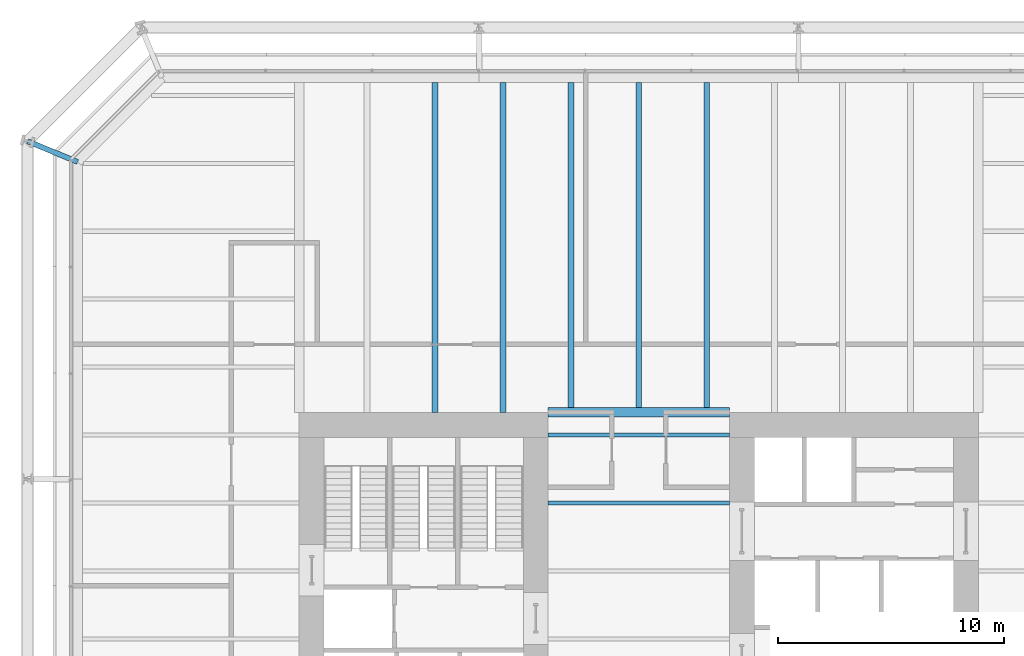
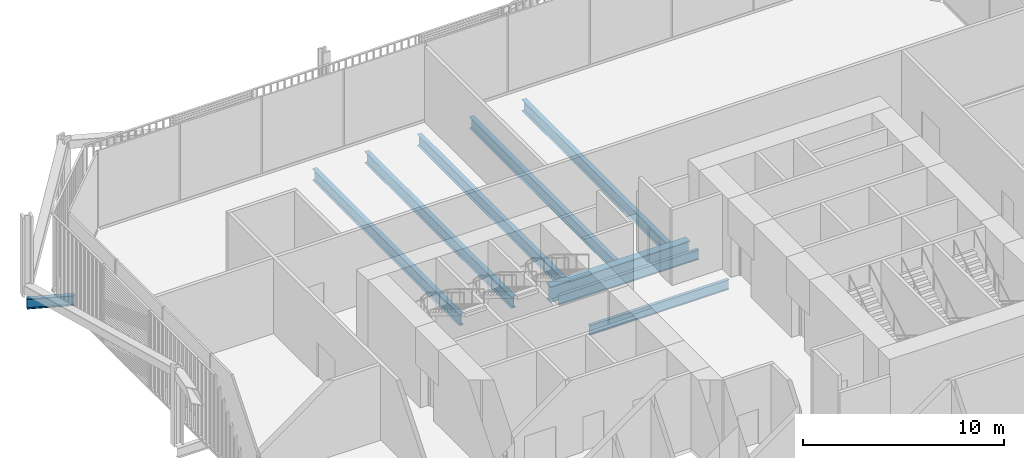
# One storey, part 13 of 22: 9 beams.
"""IFC4 building model written with IfcOpenShell, lengths in metres."""

from ifc_helpers import new_model, si_unit, direction, frame, origin, origin_2d, place, context, subcontext, project, spatial, i_section, extrude, material, material_profile, profile_set, type_object, element, save


model = new_model("IFC4")

# Units and contexts
model_context = context("Model", 3, precision=1e-05, world=origin(), true_north=direction((0.0, 1.0)))
body_context = subcontext(model_context, "Body", "Model", "MODEL_VIEW")
ifc_project = project(units=[si_unit("LENGTHUNIT", "METRE"), si_unit("AREAUNIT", "SQUARE_METRE"), si_unit("VOLUMEUNIT", "CUBIC_METRE"), si_unit("PLANEANGLEUNIT", "RADIAN"), si_unit("MASSUNIT", "GRAM", prefix="KILO")], contexts=[model_context])

# Site, building, storey
site_placement = place(None, origin())
site = spatial("IfcSite", under=ifc_project, at=site_placement, CompositionType="ELEMENT")
building_placement = place(site_placement, origin())
building = spatial("IfcBuilding", under=site, at=building_placement, Name="Millrace Tower", CompositionType="ELEMENT")
storey_placement = place(building_placement, frame((0.0, 0.0, 30.5)))
storey = spatial("IfcBuildingStorey", under=building, at=storey_placement, Name="L07", CompositionType="ELEMENT", Elevation=30.5)

# Beams
ifc_material_1 = material(Name="Steel ASTM A992 Grade 50", Category="steel")
ifc_material_profile_1 = material_profile(ifc_material_1, i_section(OverallWidth=0.177978515625, OverallDepth=0.599365234375, WebThickness=0.010009765625, FlangeThickness=0.012939453125, FilletRadius=0.012939453125, at=origin_2d()))
ifc_profile_set_1 = profile_set([ifc_material_profile_1], Name="Steel ASTM A992 Grade 50")
beam_type_1 = type_object("IfcBeamType", Name="Floor beam W24x55", PredefinedType="JOIST", material=ifc_profile_set_1)
for number, where, z_axis, x_axis, name in (
    (1, (-4.0, 6.0, -0.524658203125), (1.0, 0.0, 0.0), (0.0, 1.0, 0.0), "BM-A-L07-S1-S026"),
    (2, (-4.0, 9.0, -0.524658203125), (1.0, 0.0, 0.0), (0.0, 1.0, 0.0), "BM-A-L07-S1-S029"),
):
    element("IfcBeam", number, at=place(storey_placement, frame(where, z_axis=z_axis, x_axis=x_axis)), inside=storey, type_object=beam_type_1, Name=name, PredefinedType="JOIST", context=body_context, shape_type="SweptSolid", body=[
        extrude(i_section(OverallWidth=0.177978515625, OverallDepth=0.599365234375, WebThickness=0.010009765625, FlangeThickness=0.012939453125, FilletRadius=0.012939453125, at=origin_2d()), origin(), (0.0, 0.0, 1.0), 8.0),
    ])
ifc_material_2 = material(Name="Steel ASTM A992 Grade 50", Category="steel")
ifc_material_profile_2 = material_profile(ifc_material_2, i_section(OverallWidth=0.256591796875, OverallDepth=0.693359375, WebThickness=0.014404296875, FlangeThickness=0.023681640625, FilletRadius=0.01513671875, at=origin_2d()))
ifc_profile_set_2 = profile_set([ifc_material_profile_2], Name="Steel ASTM A992 Grade 50")
beam_type_2 = type_object("IfcBeamType", Name="Floor beam W27x114", PredefinedType="JOIST", material=ifc_profile_set_2)
for number, where, z_axis, x_axis, name in (
    (3, (-9.0, 10.0, -0.57177734375), (0.0, 1.0, 0.0), (-1.0, 0.0, 0.0), "BM-A-L07-S1-S044"),
    (4, (-6.0, 10.0, -0.57177734375), (0.0, 1.0, 0.0), (-1.0, 0.0, 0.0), "BM-A-L07-S1-S046"),
):
    element("IfcBeam", number, at=place(storey_placement, frame(where, z_axis=z_axis, x_axis=x_axis)), inside=storey, type_object=beam_type_2, Name=name, PredefinedType="JOIST", context=body_context, shape_type="SweptSolid", body=[
        extrude(i_section(OverallWidth=0.256591796875, OverallDepth=0.693359375, WebThickness=0.014404296875, FlangeThickness=0.023681640625, FilletRadius=0.01513671875, at=origin_2d()), origin(), (0.0, 0.0, 1.0), 14.578369140625),
    ])
for number, where, z_axis, x_axis, name in (
    (5, (-3.0, 10.212158203125, -0.57177734375), (0.0, 1.0, 0.0), (-1.0, 0.0, 0.0), "BM-A-L07-S1-S048"),
    (6, (0.0, 10.212158203125, -0.57177734375), (0.0, 1.0, 0.0), (-1.0, 0.0, 0.0), "BM-A-L07-S1-S050"),
    (7, (3.0, 10.212158203125, -0.57177734375), (0.0, 1.0, 0.0), (-1.0, 0.0, 0.0), "BM-A-L07-S1-S052"),
):
    element("IfcBeam", number, at=place(storey_placement, frame(where, z_axis=z_axis, x_axis=x_axis)), inside=storey, type_object=beam_type_2, Name=name, PredefinedType="JOIST", context=body_context, shape_type="SweptSolid", body=[
        extrude(i_section(OverallWidth=0.256591796875, OverallDepth=0.693359375, WebThickness=0.014404296875, FlangeThickness=0.023681640625, FilletRadius=0.01513671875, at=origin_2d()), origin(), (0.0, 0.0, 1.0), 14.3662109375),
    ])
ifc_material_3 = material(Name="Steel ASTM A992 Grade 50", Category="steel")
ifc_material_profile_3 = material_profile(ifc_material_3, i_section(OverallWidth=0.424072265625, OverallDepth=0.947509765625, WebThickness=0.02392578125, FlangeThickness=0.042724609375, FilletRadius=0.024169921875, at=origin_2d()))
ifc_profile_set_3 = profile_set([ifc_material_profile_3], Name="Steel ASTM A992 Grade 50")
beam_type_3 = type_object("IfcBeamType", Name="Girder short span W36x302", PredefinedType="BEAM", material=ifc_profile_set_3)
beam_1_placement = place(storey_placement, frame((-4.0, 10.0, -0.69873046875), z_axis=(1.0, 0.0, 0.0), x_axis=(0.0, 1.0, 0.0)))
element("IfcBeam", 8, at=beam_1_placement, inside=storey, type_object=beam_type_3, Name="BM-A-L07-S1-G064", PredefinedType="BEAM", context=body_context, shape_type="SweptSolid", body=[
    extrude(i_section(OverallWidth=0.424072265625, OverallDepth=0.947509765625, WebThickness=0.02392578125, FlangeThickness=0.042724609375, FilletRadius=0.024169921875, at=origin_2d()), origin(), (0.0, 0.0, 1.0), 8.0),
])
ifc_material_4 = material(Name="Steel ASTM A992 Grade 50", Category="steel")
ifc_material_profile_4 = material_profile(ifc_material_4, i_section(OverallWidth=0.23046875, OverallDepth=0.6171875, WebThickness=0.01318359375, FlangeThickness=0.022216796875, FilletRadius=0.012939453125, at=origin_2d()))
ifc_profile_set_4 = profile_set([ifc_material_profile_4], Name="Steel ASTM A992 Grade 50")
beam_type_4 = type_object("IfcBeamType", Name="Link beam W24x94", PredefinedType="BEAM", material=ifc_profile_set_4)
beam_2_placement = place(storey_placement, frame((-24.7890625, 21.062744140625, -0.53369140625), z_axis=(-0.923883789366, 0.382673155247, 0.0), x_axis=(-0.382673155247, -0.923883789366, 0.0)))
element("IfcBeam", 9, at=beam_2_placement, inside=storey, type_object=beam_type_4, Name="LNK-A-L07-S1-04", PredefinedType="BEAM", context=body_context, shape_type="SweptSolid", body=[
    extrude(i_section(OverallWidth=0.23046875, OverallDepth=0.6171875, WebThickness=0.01318359375, FlangeThickness=0.022216796875, FilletRadius=0.012939453125, at=origin_2d()), origin(), (0.0, 0.0, 1.0), 2.39306640625),
])

save(model, "model.ifc")
